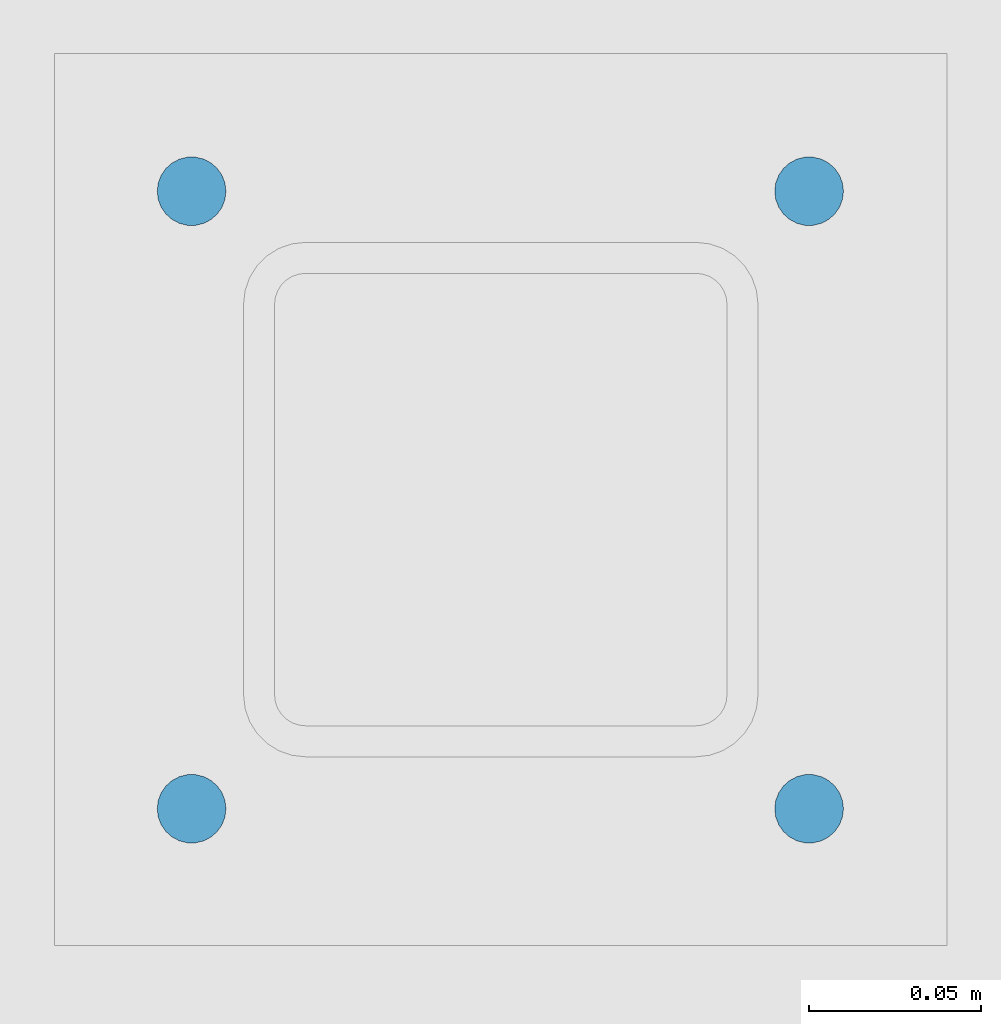
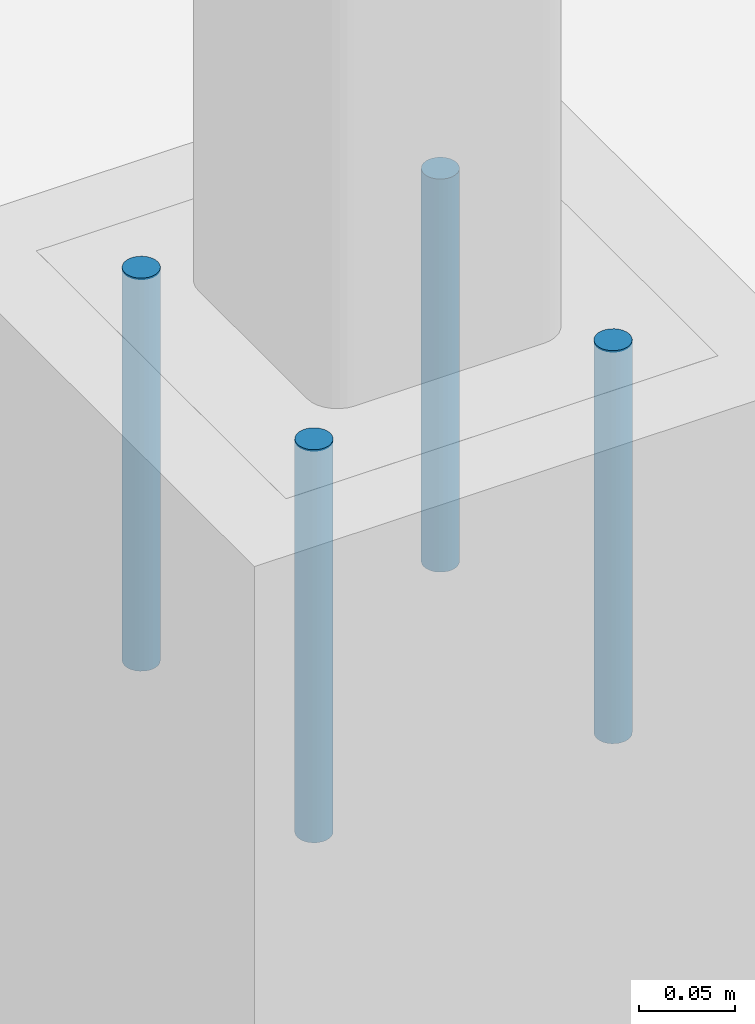
# One storey, part 6 of 10: 4 mechanical fasteners.
"""IFC4 building model written with IfcOpenShell, lengths in metres."""

from ifc_helpers import new_model, si_unit, direction, frame, origin, origin_2d, place, context, subcontext, project, spatial, circle, extrude, material, element, save


model = new_model("IFC4")

# Units and contexts
model_context = context("Model", 3, precision=1e-05, world=origin(), true_north=direction((0.0, 1.0)))
body_context = subcontext(model_context, "Body", "Model", "MODEL_VIEW")
ifc_project = project(units=[si_unit("LENGTHUNIT", "METRE"), si_unit("AREAUNIT", "SQUARE_METRE"), si_unit("VOLUMEUNIT", "CUBIC_METRE"), si_unit("PLANEANGLEUNIT", "RADIAN"), si_unit("MASSUNIT", "GRAM", prefix="KILO")], contexts=[model_context])

# Site, building, storey
site_placement = place(None, origin())
site = spatial("IfcSite", under=ifc_project, at=site_placement, CompositionType="ELEMENT")
building_placement = place(site_placement, origin())
building = spatial("IfcBuilding", under=site, at=building_placement, Name="Silangan Lancet Faculty of Sciences", CompositionType="ELEMENT")
storey_placement = place(building_placement, frame((0.0, 0.0, 81.300048828125)))
storey = spatial("IfcBuildingStorey", under=building, at=storey_placement, Name="ROOF", CompositionType="ELEMENT", Elevation=81.300048828125)

# Mechanical fasteners
ifc_material = material(Name="Steel grade 8.8", Category="steel")
for number, where, z_axis, x_axis, name in (
    (1, (0.010009765625, 0.010009765625, 8.89990234375), (0.0, 0.0, 1.0), (1.0, 0.0, 0.0), "Anchor bolt RS3 ST-SW-1"),
    (2, (0.010009765625, 0.18994140625, 8.89990234375), (0.0, 0.0, 1.0), (1.0, 0.0, 0.0), "Anchor bolt RS3 ST-SW-2"),
    (3, (0.18994140625, 0.010009765625, 8.89990234375), (0.0, 0.0, 1.0), (1.0, 0.0, 0.0), "Anchor bolt RS3 ST-SW-3"),
    (4, (0.18994140625, 0.18994140625, 8.89990234375), (0.0, 0.0, 1.0), (1.0, 0.0, 0.0), "Anchor bolt RS3 ST-SW-4"),
):
    element("IfcMechanicalFastener", number, at=place(storey_placement, frame(where, z_axis=z_axis, x_axis=x_axis)), inside=storey, material=ifc_material, Name=name, NominalDiameter=0.02, NominalLength=0.25, PredefinedType="ANCHORBOLT", context=body_context, shape_type="SweptSolid", body=[
        extrude(circle(Radius=0.010009765625, at=origin_2d()), origin(), (0.0, 0.0, 1.0), 0.25),
    ])

save(model, "model.ifc")
